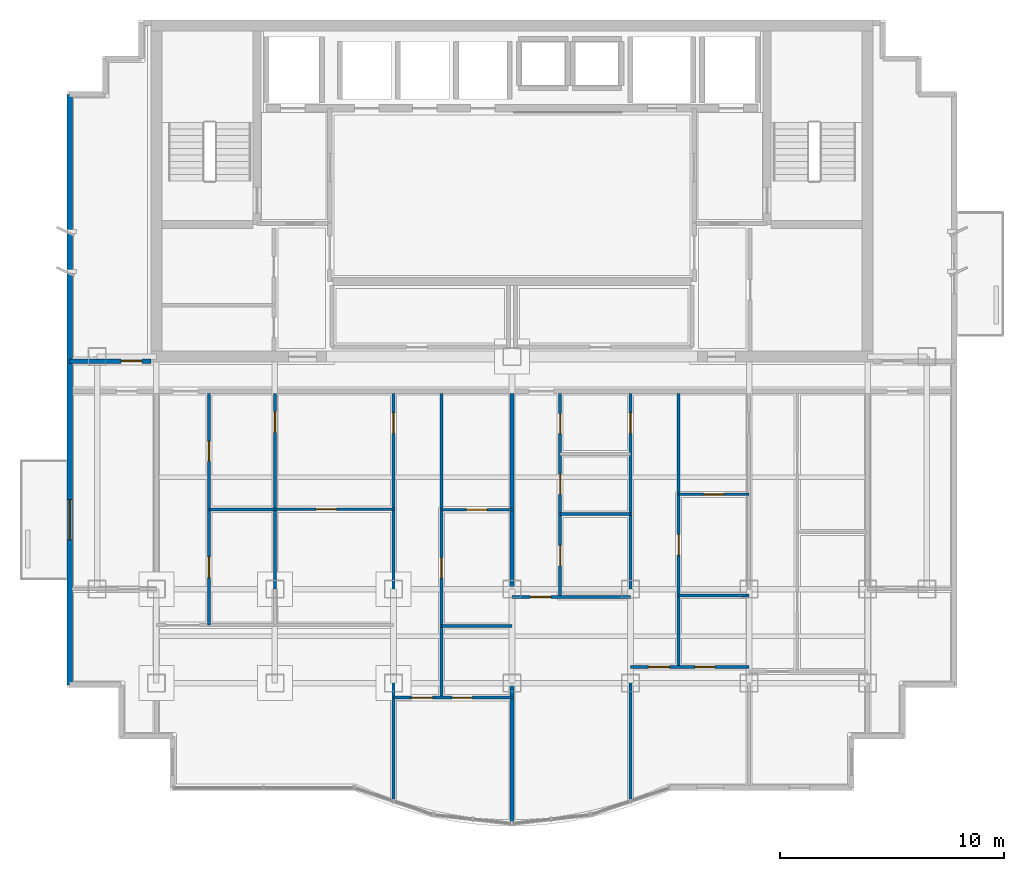
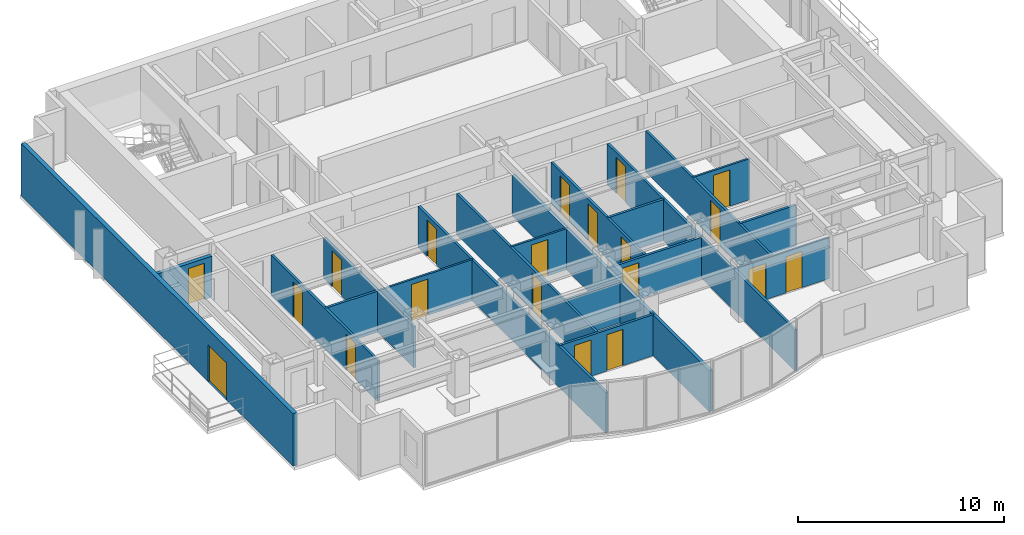
# One storey, part 4 of 9: 20 doors, 20 walls, 20 openings.
"""IFC4 building model written with IfcOpenShell, lengths in metres."""

from ifc_helpers import new_model, si_unit, direction, frame, frame_2d, origin, place, context, subcontext, project, spatial, rectangle, extrude, material, layer, layer_set, type_object, element, fill, save


model = new_model("IFC4")

# Units and contexts
model_context = context("Model", 3, precision=1e-05, world=origin(), true_north=direction((0.0, 1.0)))
body_context = subcontext(model_context, "Body", "Model", "MODEL_VIEW")
ifc_project = project(units=[si_unit("LENGTHUNIT", "METRE"), si_unit("AREAUNIT", "SQUARE_METRE"), si_unit("VOLUMEUNIT", "CUBIC_METRE"), si_unit("PLANEANGLEUNIT", "RADIAN"), si_unit("MASSUNIT", "GRAM", prefix="KILO")], contexts=[model_context])

# Site, building, storey
site_placement = place(None, origin())
site = spatial("IfcSite", under=ifc_project, at=site_placement, CompositionType="ELEMENT")
building_placement = place(site_placement, origin())
building = spatial("IfcBuilding", under=site, at=building_placement, Name="Qianlan Lanfeng Residences", CompositionType="ELEMENT")
storey_placement = place(building_placement, frame((0.0, 0.0, 213.199951171875)))
storey = spatial("IfcBuildingStorey", under=building, at=storey_placement, Name="L58", CompositionType="ELEMENT", Elevation=213.199951171875)

# Wall, opening, door
ifc_material_1 = material(Name="Concrete C42", Category="concrete")
ifc_layer_1 = layer(ifc_material_1, 0.239990234375)
ifc_layer_set_1 = layer_set([ifc_layer_1], Name="Concrete C42")
wall_type_1 = type_object("IfcWallType", Name="EW-240", PredefinedType="SOLIDWALL", material=ifc_layer_set_1)
wall_1_placement = place(storey_placement, frame((6.719970703125, 36.929931640625, 0.0), z_axis=(0.0, 0.0, 1.0), x_axis=(0.0, -1.0, 0.0)))
wall_1 = element("IfcWall", 1, at=wall_1_placement, inside=storey, type_object=wall_type_1, Name="L58 Terrace/Balcony Access Exterior Wall 21", PredefinedType="SOLIDWALL", context=body_context, shape_type="SweptSolid", body=[
    extrude(rectangle(XDim=26.409912109375, YDim=0.239990234375, at=frame_2d((13.205078125, 0.0))), origin(), (0.0, 0.0, 1.0), 3.110107421875),
])
opening_1_placement = place(wall_1_placement, frame((18.1298828125, 0.0, 0.0)))
opening_1 = element("IfcOpeningElement", 2, at=opening_1_placement, cuts=wall_1, Name="Opening L58-D-WB-S", PredefinedType="OPENING", context=body_context, shape_type="SweptSolid", body=[
    extrude(rectangle(XDim=1.800048828125, YDim=2.199951171875, at=frame_2d((0.89990234375, 1.10009765625))), frame((0.0, 0.1298828125, 0.0), z_axis=(0.0, -1.0, 0.0), x_axis=(1.0, 0.0, 0.0)), (0.0, 0.0, 1.0), 0.260009765625),
])
ifc_material_2 = material(Name="Anodised Bronze Aluminium Framed Glass", Category="aluminium")
door_type_1 = type_object("IfcDoorType", Name="DT-BAL1", OperationType="NOTDEFINED", PredefinedType="DOOR", material=ifc_material_2)
door_1_placement = place(opening_1_placement, frame((1.800048828125, 0.0, 0.0), z_axis=(0.0, 0.0, 1.0), x_axis=(-1.0, 0.0, 0.0)))
door_1 = element("IfcDoor", 3, at=door_1_placement, inside=storey, type_object=door_type_1, Name="L58 Exterior Access Door WB-S", OperationType="DOUBLE_DOOR_SLIDING", OverallHeight=2.199951171875, OverallWidth=1.800048828125, PredefinedType="DOOR", context=body_context, shape_type="SweptSolid", body=[
    extrude(rectangle(XDim=1.800048828125, YDim=2.199951171875, at=frame_2d((0.89990234375, 1.10009765625))), frame((0.0, 0.02490234375, 0.0), z_axis=(0.0, -1.0, 0.0), x_axis=(1.0, 0.0, 0.0)), (0.0, 0.0, 1.0), 0.050048828125),
])
fill(opening_1, door_1)

ifc_material_3 = material(Name="Demountable Acoustic Framing Partition 110 mm")
ifc_layer_2 = layer(ifc_material_3, 0.110107421875)
ifc_layer_set_2 = layer_set([ifc_layer_2], Name="Demountable Acoustic Framing Partition 110 mm")
wall_type_2 = type_object("IfcWallType", Name="PW-110", PredefinedType="MOVABLE", material=ifc_layer_set_2)
wall_2_placement = place(storey_placement, frame((15.89990234375, 18.3701171875, 0.0), z_axis=(0.0, 0.0, 1.0), x_axis=(1.0, 0.0, 0.0)))
wall_2 = element("IfcWall", 4, at=wall_2_placement, inside=storey, type_object=wall_type_2, Name="L58 U01 Study Split", PredefinedType="MOVABLE", context=body_context, shape_type="SweptSolid", body=[
    extrude(rectangle(XDim=5.300048828125, YDim=0.110107421875, at=frame_2d((2.64990234375, 0.0))), origin(), (0.0, 0.0, 1.0), 2.429931640625),
])
opening_2_placement = place(wall_2_placement, frame((1.840087890625, 0.0, 0.0)))
opening_2 = element("IfcOpeningElement", 5, at=opening_2_placement, cuts=wall_2, Name="Opening L58-D22", PredefinedType="OPENING", context=body_context, shape_type="SweptSolid", body=[
    extrude(rectangle(XDim=0.919921875, YDim=2.14990234375, at=frame_2d((0.4599609375, 1.074951171875))), frame((0.0, 0.06494140625, 0.0), z_axis=(0.0, -1.0, 0.0), x_axis=(1.0, 0.0, 0.0)), (0.0, 0.0, 1.0), 0.130126953125),
])
ifc_material_4 = material(Name="Glazed Timber Kitchen/Study Door", Category="wood")
door_type_2 = type_object("IfcDoorType", Name="DT-INT", OperationType="NOTDEFINED", PredefinedType="DOOR", material=ifc_material_4)
door_2_placement = place(opening_2_placement, origin())
door_2 = element("IfcDoor", 6, at=door_2_placement, inside=storey, type_object=door_type_2, Name="L58 U01 Study Inner Door L58-D22 (DT-INT)", OperationType="SINGLE_SWING_RIGHT", OverallHeight=2.14990234375, OverallWidth=0.919921875, PredefinedType="DOOR", context=body_context, shape_type="SweptSolid", body=[
    extrude(rectangle(XDim=0.919921875, YDim=2.14990234375, at=frame_2d((0.4599609375, 1.074951171875))), frame((0.0, 0.02490234375, 0.0), z_axis=(0.0, -1.0, 0.0), x_axis=(1.0, 0.0, 0.0)), (0.0, 0.0, 1.0), 0.050048828125),
])
fill(opening_2, door_2)

wall_3_placement = place(storey_placement, frame((23.35009765625, 18.34912109375, 0.0), z_axis=(0.0, 0.0, 1.0), x_axis=(1.0, 0.0, 0.0)))
wall_3 = element("IfcWall", 7, at=wall_3_placement, inside=storey, type_object=wall_type_2, Name="L58 U01 Wardrobe Split", PredefinedType="MOVABLE", context=body_context, shape_type="SweptSolid", body=[
    extrude(rectangle(XDim=3.14990234375, YDim=0.110107421875, at=frame_2d((1.574951171875, 0.0))), origin(), (0.0, 0.0, 1.0), 2.429931640625),
])
opening_3_placement = place(wall_3_placement, frame((1.114990234375, 0.0, 0.0)))
opening_3 = element("IfcOpeningElement", 8, at=opening_3_placement, cuts=wall_3, Name="Opening L58-D26", PredefinedType="OPENING", context=body_context, shape_type="SweptSolid", body=[
    extrude(rectangle(XDim=0.919921875, YDim=2.14990234375, at=frame_2d((0.4599609375, 1.074951171875))), frame((0.0, 0.06494140625, 0.0), z_axis=(0.0, -1.0, 0.0), x_axis=(1.0, 0.0, 0.0)), (0.0, 0.0, 1.0), 0.130126953125),
])
door_3_placement = place(opening_3_placement, origin())
door_3 = element("IfcDoor", 9, at=door_3_placement, inside=storey, type_object=door_type_2, Name="L58 U01 Dressing Inner Door L58-D26 (DT-INT)", OperationType="SINGLE_SWING_RIGHT", OverallHeight=2.14990234375, OverallWidth=0.919921875, PredefinedType="DOOR", context=body_context, shape_type="SweptSolid", body=[
    extrude(rectangle(XDim=0.919921875, YDim=2.14990234375, at=frame_2d((0.4599609375, 1.074951171875))), frame((0.0, 0.02490234375, 0.0), z_axis=(0.0, -1.0, 0.0), x_axis=(1.0, 0.0, 0.0)), (0.0, 0.0, 1.0), 0.050048828125),
])
fill(opening_3, door_3)

wall_4_placement = place(storey_placement, frame((33.949951171875, 19.034912109375, 0.0), z_axis=(0.0, 0.0, 1.0), x_axis=(1.0, 0.0, 0.0)))
wall_4 = element("IfcWall", 10, at=wall_4_placement, inside=storey, type_object=wall_type_2, Name="L58 U02 Wardrobe Split", PredefinedType="MOVABLE", context=body_context, shape_type="SweptSolid", body=[
    extrude(rectangle(XDim=3.150146484375, YDim=0.110107421875, at=frame_2d((1.5751953125, 0.0))), origin(), (0.0, 0.0, 1.0), 2.429931640625),
])
opening_4_placement = place(wall_4_placement, frame((1.114990234375, 0.0, 0.0)))
opening_4 = element("IfcOpeningElement", 11, at=opening_4_placement, cuts=wall_4, Name="Opening L58-D37", PredefinedType="OPENING", context=body_context, shape_type="SweptSolid", body=[
    extrude(rectangle(XDim=0.919921875, YDim=2.14990234375, at=frame_2d((0.4599609375, 1.074951171875))), frame((0.0, 0.06494140625, 0.0), z_axis=(0.0, -1.0, 0.0), x_axis=(1.0, 0.0, 0.0)), (0.0, 0.0, 1.0), 0.130126953125),
])
door_4_placement = place(opening_4_placement, origin())
door_4 = element("IfcDoor", 12, at=door_4_placement, inside=storey, type_object=door_type_2, Name="L58 U02 Dressing Inner Door L58-D37 (DT-INT)", OperationType="SINGLE_SWING_LEFT", OverallHeight=2.14990234375, OverallWidth=0.919921875, PredefinedType="DOOR", context=body_context, shape_type="SweptSolid", body=[
    extrude(rectangle(XDim=0.919921875, YDim=2.14990234375, at=frame_2d((0.4599609375, 1.074951171875))), frame((0.0, 0.02490234375, 0.0), z_axis=(0.0, -1.0, 0.0), x_axis=(1.0, 0.0, 0.0)), (0.0, 0.0, 1.0), 0.050048828125),
])
fill(opening_4, door_4)

ifc_material_5 = material(Name="Moisture-Resistant Gypsum Partition 135 mm")
ifc_layer_3 = layer(ifc_material_5, 0.135009765625)
ifc_layer_set_3 = layer_set([ifc_layer_3], Name="Moisture-Resistant Gypsum Partition 135 mm")
wall_type_3 = type_object("IfcWallType", Name="PW-135", PredefinedType="PARTITIONING", material=ifc_layer_set_3)
wall_5_placement = place(storey_placement, frame((15.89990234375, 14.800048828125, 0.0), z_axis=(0.0, 0.0, 1.0), x_axis=(0.0, 1.0, 0.0)))
wall_5 = element("IfcWall", 13, at=wall_5_placement, inside=storey, type_object=wall_type_3, Name="L58 U01 North Spine Wall", PredefinedType="PARTITIONING", context=body_context, shape_type="SweptSolid", body=[
    extrude(rectangle(XDim=8.75, YDim=0.135009765625, at=frame_2d((4.375, 0.0))), origin(), (0.0, 0.0, 1.0), 2.429931640625),
])
opening_5_placement = place(wall_5_placement, frame((7.014892578125, 0.0, 0.0)))
opening_5 = element("IfcOpeningElement", 14, at=opening_5_placement, cuts=wall_5, Name="Opening L58-D17", PredefinedType="OPENING", context=body_context, shape_type="SweptSolid", body=[
    extrude(rectangle(XDim=0.919921875, YDim=2.14990234375, at=frame_2d((0.4599609375, 1.074951171875))), frame((0.0, 0.07763671875, 0.0), z_axis=(0.0, -1.0, 0.0), x_axis=(1.0, 0.0, 0.0)), (0.0, 0.0, 1.0), 0.155029296875),
])
door_5_placement = place(opening_5_placement, origin())
door_5 = element("IfcDoor", 15, at=door_5_placement, inside=storey, type_object=door_type_2, Name="L58 U01 North Suite Door L58-D17 (DT-INT)", OperationType="SINGLE_SWING_LEFT", OverallHeight=2.14990234375, OverallWidth=0.919921875, PredefinedType="DOOR", context=body_context, shape_type="SweptSolid", body=[
    extrude(rectangle(XDim=0.919921875, YDim=2.14990234375, at=frame_2d((0.4599609375, 1.074951171875))), frame((0.0, 0.02490234375, 0.0), z_axis=(0.0, -1.0, 0.0), x_axis=(1.0, 0.0, 0.0)), (0.0, 0.0, 1.0), 0.050048828125),
])
fill(opening_5, door_5)

wall_6_placement = place(storey_placement, frame((21.199951171875, 5.3310546875, 0.0), z_axis=(0.0, 0.0, 1.0), x_axis=(0.0, 1.0, 0.0)))
wall_6 = element("IfcWall", 16, at=wall_6_placement, inside=storey, type_object=wall_type_3, Name="L58 U01 Bay Spine Wall 2", PredefinedType="PARTITIONING", context=body_context, shape_type="SweptSolid", body=[
    extrude(rectangle(XDim=18.218994140625, YDim=0.135009765625, at=frame_2d((9.109375, 0.0))), origin(), (0.0, 0.0, 1.0), 2.429931640625),
])
opening_6_placement = place(wall_6_placement, frame((16.43408203125, 0.0, 0.0)))
opening_6 = element("IfcOpeningElement", 17, at=opening_6_placement, cuts=wall_6, Name="Opening L58-D18", PredefinedType="OPENING", context=body_context, shape_type="SweptSolid", body=[
    extrude(rectangle(XDim=0.919921875, YDim=2.14990234375, at=frame_2d((0.4599609375, 1.074951171875))), frame((0.0, 0.07763671875, 0.0), z_axis=(0.0, -1.0, 0.0), x_axis=(1.0, 0.0, 0.0)), (0.0, 0.0, 1.0), 0.155029296875),
])
door_6_placement = place(opening_6_placement, origin())
door_6 = element("IfcDoor", 18, at=door_6_placement, inside=storey, type_object=door_type_2, Name="L58 U01 Internal Hall Door L58-D18 (DT-INT)", OperationType="SINGLE_SWING_RIGHT", OverallHeight=2.14990234375, OverallWidth=0.919921875, PredefinedType="DOOR", context=body_context, shape_type="SweptSolid", body=[
    extrude(rectangle(XDim=0.919921875, YDim=2.14990234375, at=frame_2d((0.4599609375, 1.074951171875))), frame((0.0, 0.02490234375, 0.0), z_axis=(0.0, -1.0, 0.0), x_axis=(1.0, 0.0, 0.0)), (0.0, 0.0, 1.0), 0.050048828125),
])
fill(opening_6, door_6)

# Wall, openings, doors
wall_7_placement = place(storey_placement, frame((12.949951171875, 13.18994140625, 0.0), z_axis=(0.0, 0.0, 1.0), x_axis=(0.0, 1.0, 0.0)))
wall_7 = element("IfcWall", 19, at=wall_7_placement, inside=storey, type_object=wall_type_3, Name="L58 U01 Kitchen/Bath Wall", PredefinedType="PARTITIONING", context=body_context, shape_type="SweptSolid", body=[
    extrude(rectangle(XDim=10.360107421875, YDim=0.135009765625, at=frame_2d((5.18017578125, 0.0))), origin(), (0.0, 0.0, 1.0), 2.429931640625),
])
opening_7_placement = place(wall_7_placement, frame((2.1298828125, 0.0, 0.0)))
opening_7 = element("IfcOpeningElement", 20, at=opening_7_placement, cuts=wall_7, Name="Opening L58-D20", PredefinedType="OPENING", context=body_context, shape_type="SweptSolid", body=[
    extrude(rectangle(XDim=0.919921875, YDim=2.14990234375, at=frame_2d((0.4599609375, 1.074951171875))), frame((0.0, 0.07763671875, 0.0), z_axis=(0.0, -1.0, 0.0), x_axis=(1.0, 0.0, 0.0)), (0.0, 0.0, 1.0), 0.155029296875),
])
opening_8_placement = place(wall_7_placement, frame((7.320068359375, 0.0, 0.0)))
opening_8 = element("IfcOpeningElement", 21, at=opening_8_placement, cuts=wall_7, Name="Opening L58-D21", PredefinedType="OPENING", context=body_context, shape_type="SweptSolid", body=[
    extrude(rectangle(XDim=0.89990234375, YDim=2.14990234375, at=frame_2d((0.449951171875, 1.074951171875))), frame((0.0, 0.07763671875, 0.0), z_axis=(0.0, -1.0, 0.0), x_axis=(1.0, 0.0, 0.0)), (0.0, 0.0, 1.0), 0.155029296875),
])
door_7_placement = place(opening_7_placement, origin())
door_7 = element("IfcDoor", 22, at=door_7_placement, inside=storey, type_object=door_type_2, Name="L58 U01 Kitchen Door L58-D20 (DT-INT)", OperationType="SINGLE_SWING_RIGHT", OverallHeight=2.14990234375, OverallWidth=0.919921875, PredefinedType="DOOR", context=body_context, shape_type="SweptSolid", body=[
    extrude(rectangle(XDim=0.919921875, YDim=2.14990234375, at=frame_2d((0.4599609375, 1.074951171875))), frame((0.0, 0.02490234375, 0.0), z_axis=(0.0, -1.0, 0.0), x_axis=(1.0, 0.0, 0.0)), (0.0, 0.0, 1.0), 0.050048828125),
])
fill(opening_7, door_7)
ifc_material_6 = material(Name="Moisture-Resistant Timber Leaf", Category="wood")
door_type_3 = type_object("IfcDoorType", Name="DT-WC", OperationType="NOTDEFINED", PredefinedType="DOOR", material=ifc_material_6)
door_8_placement = place(opening_8_placement, origin())
door_8 = element("IfcDoor", 23, at=door_8_placement, inside=storey, type_object=door_type_3, Name="L58 U01 Bathroom Door L58-D21 (DT-WC)", OperationType="SINGLE_SWING_LEFT", OverallHeight=2.14990234375, OverallWidth=0.89990234375, PredefinedType="DOOR", context=body_context, shape_type="SweptSolid", body=[
    extrude(rectangle(XDim=0.89990234375, YDim=2.14990234375, at=frame_2d((0.449951171875, 1.074951171875))), frame((0.0, 0.02490234375, 0.0), z_axis=(0.0, -1.0, 0.0), x_axis=(1.0, 0.0, 0.0)), (0.0, 0.0, 1.0), 0.050048828125),
])
fill(opening_8, door_8)

# Wall
wall_8_placement = place(storey_placement, frame((12.949951171875, 18.3701171875, 0.0), z_axis=(0.0, 0.0, 1.0), x_axis=(1.0, 0.0, 0.0)))
element("IfcWall", 24, at=wall_8_placement, inside=storey, type_object=wall_type_3, Name="L58 U01 Bath Split Wall", PredefinedType="PARTITIONING", context=body_context, shape_type="SweptSolid", body=[
    extrude(rectangle(XDim=2.949951171875, YDim=0.135009765625, at=frame_2d((1.47509765625, 0.0))), origin(), (0.0, 0.0, 1.0), 2.429931640625),
])

# Wall, openings, doors
wall_9_placement = place(storey_placement, frame((21.199951171875, 9.947998046875, 0.0), z_axis=(0.0, 0.0, 1.0), x_axis=(1.0, 0.0, 0.0)))
wall_9 = element("IfcWall", 25, at=wall_9_placement, inside=storey, type_object=wall_type_3, Name="L58 U01 Master Bedroom North Wall", PredefinedType="PARTITIONING", context=body_context, shape_type="SweptSolid", body=[
    extrude(rectangle(XDim=5.300048828125, YDim=0.135009765625, at=frame_2d((2.64990234375, 0.0))), origin(), (0.0, 0.0, 1.0), 2.429931640625),
])
opening_9_placement = place(wall_9_placement, frame((0.800048828125, 0.0, 0.0)))
opening_9 = element("IfcOpeningElement", 26, at=opening_9_placement, cuts=wall_9, Name="Opening L58-D23", PredefinedType="OPENING", context=body_context, shape_type="SweptSolid", body=[
    extrude(rectangle(XDim=0.949951171875, YDim=2.14990234375, at=frame_2d((0.47509765625, 1.074951171875))), frame((0.0, 0.07763671875, 0.0), z_axis=(0.0, -1.0, 0.0), x_axis=(1.0, 0.0, 0.0)), (0.0, 0.0, 1.0), 0.155029296875),
])
opening_10_placement = place(wall_9_placement, frame((2.625, 0.0, 0.0)))
opening_10 = element("IfcOpeningElement", 27, at=opening_10_placement, cuts=wall_9, Name="Opening L58-D24", PredefinedType="OPENING", context=body_context, shape_type="SweptSolid", body=[
    extrude(rectangle(XDim=0.89990234375, YDim=2.14990234375, at=frame_2d((0.449951171875, 1.074951171875))), frame((0.0, 0.07763671875, 0.0), z_axis=(0.0, -1.0, 0.0), x_axis=(1.0, 0.0, 0.0)), (0.0, 0.0, 1.0), 0.155029296875),
])
ifc_material_7 = material(Name="Painted Solid-Core Timber Leaf", Category="wood")
door_type_4 = type_object("IfcDoorType", Name="DT-BED", OperationType="NOTDEFINED", PredefinedType="DOOR", material=ifc_material_7)
door_9_placement = place(opening_9_placement, frame((0.949951171875, 0.0, 0.0), z_axis=(0.0, 0.0, 1.0), x_axis=(-1.0, 0.0, 0.0)))
door_9 = element("IfcDoor", 28, at=door_9_placement, inside=storey, type_object=door_type_4, Name="L58 U01 Master Bedroom Door L58-D23 (DT-BED)", OperationType="SINGLE_SWING_LEFT", OverallHeight=2.14990234375, OverallWidth=0.949951171875, PredefinedType="DOOR", context=body_context, shape_type="SweptSolid", body=[
    extrude(rectangle(XDim=0.949951171875, YDim=2.14990234375, at=frame_2d((0.47509765625, 1.074951171875))), frame((0.0, 0.02490234375, 0.0), z_axis=(0.0, -1.0, 0.0), x_axis=(1.0, 0.0, 0.0)), (0.0, 0.0, 1.0), 0.050048828125),
])
fill(opening_9, door_9)
door_10_placement = place(opening_10_placement, origin())
door_10 = element("IfcDoor", 29, at=door_10_placement, inside=storey, type_object=door_type_3, Name="L58 U01 En-Suite Bathroom Door L58-D24 (DT-WC)", OperationType="SINGLE_SWING_RIGHT", OverallHeight=2.14990234375, OverallWidth=0.89990234375, PredefinedType="DOOR", context=body_context, shape_type="SweptSolid", body=[
    extrude(rectangle(XDim=0.89990234375, YDim=2.14990234375, at=frame_2d((0.449951171875, 1.074951171875))), frame((0.0, 0.02490234375, 0.0), z_axis=(0.0, -1.0, 0.0), x_axis=(1.0, 0.0, 0.0)), (0.0, 0.0, 1.0), 0.050048828125),
])
fill(opening_10, door_10)

# Wall, opening, door
wall_10_placement = place(storey_placement, frame((23.35009765625, 9.947998046875, 0.0), z_axis=(0.0, 0.0, 1.0), x_axis=(0.0, 1.0, 0.0)))
wall_10 = element("IfcWall", 30, at=wall_10_placement, inside=storey, type_object=wall_type_3, Name="L58 U01 Master Passage Wall", PredefinedType="PARTITIONING", context=body_context, shape_type="SweptSolid", body=[
    extrude(rectangle(XDim=13.60205078125, YDim=0.135009765625, at=frame_2d((6.801025390625, 0.0))), origin(), (0.0, 0.0, 1.0), 2.429931640625),
])
opening_11_placement = place(wall_10_placement, frame((5.340087890625, 0.0, 0.0)))
opening_11 = element("IfcOpeningElement", 31, at=opening_11_placement, cuts=wall_10, Name="Opening L58-D25", PredefinedType="OPENING", context=body_context, shape_type="SweptSolid", body=[
    extrude(rectangle(XDim=0.919921875, YDim=2.14990234375, at=frame_2d((0.4599609375, 1.074951171875))), frame((0.0, 0.07763671875, 0.0), z_axis=(0.0, -1.0, 0.0), x_axis=(1.0, 0.0, 0.0)), (0.0, 0.0, 1.0), 0.155029296875),
])
door_11_placement = place(opening_11_placement, origin())
door_11 = element("IfcDoor", 32, at=door_11_placement, inside=storey, type_object=door_type_2, Name="L58 U01 Wardrobe Door L58-D25 (DT-INT)", OperationType="SINGLE_SWING_LEFT", OverallHeight=2.14990234375, OverallWidth=0.919921875, PredefinedType="DOOR", context=body_context, shape_type="SweptSolid", body=[
    extrude(rectangle(XDim=0.919921875, YDim=2.14990234375, at=frame_2d((0.4599609375, 1.074951171875))), frame((0.0, 0.02490234375, 0.0), z_axis=(0.0, -1.0, 0.0), x_axis=(1.0, 0.0, 0.0)), (0.0, 0.0, 1.0), 0.050048828125),
])
fill(opening_11, door_11)

# Wall
wall_11_placement = place(storey_placement, frame((23.35009765625, 13.14794921875, 0.0), z_axis=(0.0, 0.0, 1.0), x_axis=(1.0, 0.0, 0.0)))
element("IfcWall", 33, at=wall_11_placement, inside=storey, type_object=wall_type_3, Name="L58 U01 En-Suite North Wall", PredefinedType="PARTITIONING", context=body_context, shape_type="SweptSolid", body=[
    extrude(rectangle(XDim=3.14990234375, YDim=0.135009765625, at=frame_2d((1.574951171875, 0.0))), origin(), (0.0, 0.0, 1.0), 2.429931640625),
])

# Wall, opening, door
wall_12_placement = place(storey_placement, frame((31.800048828125, 5.3310546875, 0.0), z_axis=(0.0, 0.0, 1.0), x_axis=(0.0, 1.0, 0.0)))
wall_12 = element("IfcWall", 34, at=wall_12_placement, inside=storey, type_object=wall_type_3, Name="L58 U02 Bay Spine Wall 1", PredefinedType="PARTITIONING", context=body_context, shape_type="SweptSolid", body=[
    extrude(rectangle(XDim=18.218994140625, YDim=0.135009765625, at=frame_2d((9.109375, 0.0))), origin(), (0.0, 0.0, 1.0), 2.429931640625),
])
opening_12_placement = place(wall_12_placement, frame((16.43408203125, 0.0, 0.0)))
opening_12 = element("IfcOpeningElement", 35, at=opening_12_placement, cuts=wall_12, Name="Opening L58-D28", PredefinedType="OPENING", context=body_context, shape_type="SweptSolid", body=[
    extrude(rectangle(XDim=0.919921875, YDim=2.14990234375, at=frame_2d((0.4599609375, 1.074951171875))), frame((0.0, 0.07763671875, 0.0), z_axis=(0.0, -1.0, 0.0), x_axis=(1.0, 0.0, 0.0)), (0.0, 0.0, 1.0), 0.155029296875),
])
door_12_placement = place(opening_12_placement, origin())
door_12 = element("IfcDoor", 36, at=door_12_placement, inside=storey, type_object=door_type_2, Name="L58 U02 Internal Hall Door L58-D28 (DT-INT)", OperationType="SINGLE_SWING_RIGHT", OverallHeight=2.14990234375, OverallWidth=0.919921875, PredefinedType="DOOR", context=body_context, shape_type="SweptSolid", body=[
    extrude(rectangle(XDim=0.919921875, YDim=2.14990234375, at=frame_2d((0.4599609375, 1.074951171875))), frame((0.0, 0.02490234375, 0.0), z_axis=(0.0, -1.0, 0.0), x_axis=(1.0, 0.0, 0.0)), (0.0, 0.0, 1.0), 0.050048828125),
])
fill(opening_12, door_12)

wall_13_placement = place(storey_placement, frame((26.5, 14.447998046875, 0.0), z_axis=(0.0, 0.0, 1.0), x_axis=(1.0, 0.0, 0.0)))
wall_13 = element("IfcWall", 37, at=wall_13_placement, inside=storey, type_object=wall_type_3, Name="L58 U02 Living Divider", PredefinedType="PARTITIONING", context=body_context, shape_type="SweptSolid", body=[
    extrude(rectangle(XDim=5.300048828125, YDim=0.135009765625, at=frame_2d((2.64990234375, 0.0))), origin(), (0.0, 0.0, 1.0), 2.429931640625),
])
opening_13_placement = place(wall_13_placement, frame((0.81494140625, 0.0, 0.0)))
opening_13 = element("IfcOpeningElement", 38, at=opening_13_placement, cuts=wall_13, Name="Opening L58-D30", PredefinedType="OPENING", context=body_context, shape_type="SweptSolid", body=[
    extrude(rectangle(XDim=0.919921875, YDim=2.14990234375, at=frame_2d((0.4599609375, 1.074951171875))), frame((0.0, 0.07763671875, 0.0), z_axis=(0.0, -1.0, 0.0), x_axis=(1.0, 0.0, 0.0)), (0.0, 0.0, 1.0), 0.155029296875),
])
door_13_placement = place(opening_13_placement, frame((0.919921875, 0.0, 0.0), z_axis=(0.0, 0.0, 1.0), x_axis=(-1.0, 0.0, 0.0)))
door_13 = element("IfcDoor", 39, at=door_13_placement, inside=storey, type_object=door_type_2, Name="L58 U02 Living Passage Door L58-D30 (DT-INT)", OperationType="SINGLE_SWING_LEFT", OverallHeight=2.14990234375, OverallWidth=0.919921875, PredefinedType="DOOR", context=body_context, shape_type="SweptSolid", body=[
    extrude(rectangle(XDim=0.919921875, YDim=2.14990234375, at=frame_2d((0.4599609375, 1.074951171875))), frame((0.0, 0.02490234375, 0.0), z_axis=(0.0, -1.0, 0.0), x_axis=(1.0, 0.0, 0.0)), (0.0, 0.0, 1.0), 0.050048828125),
])
fill(opening_13, door_13)

# Wall, openings, doors
wall_14_placement = place(storey_placement, frame((28.64990234375, 14.447998046875, 0.0), z_axis=(0.0, 0.0, 1.0), x_axis=(0.0, 1.0, 0.0)))
wall_14 = element("IfcWall", 40, at=wall_14_placement, inside=storey, type_object=wall_type_3, Name="L58 U02 Entry Hall Spine", PredefinedType="PARTITIONING", context=body_context, shape_type="SweptSolid", body=[
    extrude(rectangle(XDim=9.10205078125, YDim=0.135009765625, at=frame_2d((4.551025390625, 0.0))), origin(), (0.0, 0.0, 1.0), 2.429931640625),
])
opening_14_placement = place(wall_14_placement, frame((1.39111328125, 0.0, 0.0)))
opening_14 = element("IfcOpeningElement", 41, at=opening_14_placement, cuts=wall_14, Name="Opening L58-D31", PredefinedType="OPENING", context=body_context, shape_type="SweptSolid", body=[
    extrude(rectangle(XDim=0.919921875, YDim=2.14990234375, at=frame_2d((0.4599609375, 1.074951171875))), frame((0.0, 0.07763671875, 0.0), z_axis=(0.0, -1.0, 0.0), x_axis=(1.0, 0.0, 0.0)), (0.0, 0.0, 1.0), 0.155029296875),
])
opening_15_placement = place(wall_14_placement, frame((4.592041015625, 0.0, 0.0)))
opening_15 = element("IfcOpeningElement", 42, at=opening_15_placement, cuts=wall_14, Name="Opening L58-D32", PredefinedType="OPENING", context=body_context, shape_type="SweptSolid", body=[
    extrude(rectangle(XDim=0.919921875, YDim=2.14990234375, at=frame_2d((0.4599609375, 1.074951171875))), frame((0.0, 0.07763671875, 0.0), z_axis=(0.0, -1.0, 0.0), x_axis=(1.0, 0.0, 0.0)), (0.0, 0.0, 1.0), 0.155029296875),
])
opening_16_placement = place(wall_14_placement, frame((7.302001953125, 0.0, 0.0)))
opening_16 = element("IfcOpeningElement", 43, at=opening_16_placement, cuts=wall_14, Name="Opening L58-D33", PredefinedType="OPENING", context=body_context, shape_type="SweptSolid", body=[
    extrude(rectangle(XDim=0.89990234375, YDim=2.14990234375, at=frame_2d((0.449951171875, 1.074951171875))), frame((0.0, 0.07763671875, 0.0), z_axis=(0.0, -1.0, 0.0), x_axis=(1.0, 0.0, 0.0)), (0.0, 0.0, 1.0), 0.155029296875),
])
door_14_placement = place(opening_14_placement, origin())
door_14 = element("IfcDoor", 44, at=door_14_placement, inside=storey, type_object=door_type_2, Name="L58 U02 Study Door L58-D31 (DT-INT)", OperationType="SINGLE_SWING_LEFT", OverallHeight=2.14990234375, OverallWidth=0.919921875, PredefinedType="DOOR", context=body_context, shape_type="SweptSolid", body=[
    extrude(rectangle(XDim=0.919921875, YDim=2.14990234375, at=frame_2d((0.4599609375, 1.074951171875))), frame((0.0, 0.02490234375, 0.0), z_axis=(0.0, -1.0, 0.0), x_axis=(1.0, 0.0, 0.0)), (0.0, 0.0, 1.0), 0.050048828125),
])
fill(opening_14, door_14)
door_15_placement = place(opening_15_placement, origin())
door_15 = element("IfcDoor", 45, at=door_15_placement, inside=storey, type_object=door_type_2, Name="L58 U02 Kitchen Door L58-D32 (DT-INT)", OperationType="SINGLE_SWING_RIGHT", OverallHeight=2.14990234375, OverallWidth=0.919921875, PredefinedType="DOOR", context=body_context, shape_type="SweptSolid", body=[
    extrude(rectangle(XDim=0.919921875, YDim=2.14990234375, at=frame_2d((0.4599609375, 1.074951171875))), frame((0.0, 0.02490234375, 0.0), z_axis=(0.0, -1.0, 0.0), x_axis=(1.0, 0.0, 0.0)), (0.0, 0.0, 1.0), 0.050048828125),
])
fill(opening_15, door_15)
door_16_placement = place(opening_16_placement, origin())
door_16 = element("IfcDoor", 46, at=door_16_placement, inside=storey, type_object=door_type_3, Name="L58 U02 Bathroom Door L58-D33 (DT-WC)", OperationType="SINGLE_SWING_LEFT", OverallHeight=2.14990234375, OverallWidth=0.89990234375, PredefinedType="DOOR", context=body_context, shape_type="SweptSolid", body=[
    extrude(rectangle(XDim=0.89990234375, YDim=2.14990234375, at=frame_2d((0.449951171875, 1.074951171875))), frame((0.0, 0.02490234375, 0.0), z_axis=(0.0, -1.0, 0.0), x_axis=(1.0, 0.0, 0.0)), (0.0, 0.0, 1.0), 0.050048828125),
])
fill(opening_16, door_16)

# Wall
wall_15_placement = place(storey_placement, frame((28.64990234375, 18.14990234375, 0.0), z_axis=(0.0, 0.0, 1.0), x_axis=(1.0, 0.0, 0.0)))
element("IfcWall", 47, at=wall_15_placement, inside=storey, type_object=wall_type_3, Name="L58 U02 Kitchen South Wall", PredefinedType="PARTITIONING", context=body_context, shape_type="SweptSolid", body=[
    extrude(rectangle(XDim=3.150146484375, YDim=0.135009765625, at=frame_2d((1.5751953125, 0.0))), origin(), (0.0, 0.0, 1.0), 2.429931640625),
])

# Wall, openings, doors
wall_16_placement = place(storey_placement, frame((31.800048828125, 11.320068359375, 0.0), z_axis=(0.0, 0.0, 1.0), x_axis=(1.0, 0.0, 0.0)))
wall_16 = element("IfcWall", 48, at=wall_16_placement, inside=storey, type_object=wall_type_3, Name="L58 U02 Master Bedroom North Wall", PredefinedType="PARTITIONING", context=body_context, shape_type="SweptSolid", body=[
    extrude(rectangle(XDim=5.300048828125, YDim=0.135009765625, at=frame_2d((2.64990234375, 0.0))), origin(), (0.0, 0.0, 1.0), 2.429931640625),
])
opening_17_placement = place(wall_16_placement, frame((0.800048828125, 0.0, 0.0)))
opening_17 = element("IfcOpeningElement", 49, at=opening_17_placement, cuts=wall_16, Name="Opening L58-D34", PredefinedType="OPENING", context=body_context, shape_type="SweptSolid", body=[
    extrude(rectangle(XDim=0.949951171875, YDim=2.14990234375, at=frame_2d((0.47509765625, 1.074951171875))), frame((0.0, 0.07763671875, 0.0), z_axis=(0.0, -1.0, 0.0), x_axis=(1.0, 0.0, 0.0)), (0.0, 0.0, 1.0), 0.155029296875),
])
opening_18_placement = place(wall_16_placement, frame((2.875, 0.0, 0.0)))
opening_18 = element("IfcOpeningElement", 50, at=opening_18_placement, cuts=wall_16, Name="Opening L58-D35", PredefinedType="OPENING", context=body_context, shape_type="SweptSolid", body=[
    extrude(rectangle(XDim=0.89990234375, YDim=2.14990234375, at=frame_2d((0.449951171875, 1.074951171875))), frame((0.0, 0.07763671875, 0.0), z_axis=(0.0, -1.0, 0.0), x_axis=(1.0, 0.0, 0.0)), (0.0, 0.0, 1.0), 0.155029296875),
])
door_17_placement = place(opening_17_placement, origin())
door_17 = element("IfcDoor", 51, at=door_17_placement, inside=storey, type_object=door_type_4, Name="L58 U02 Master Bedroom Door L58-D34 (DT-BED)", OperationType="SINGLE_SWING_LEFT", OverallHeight=2.14990234375, OverallWidth=0.949951171875, PredefinedType="DOOR", context=body_context, shape_type="SweptSolid", body=[
    extrude(rectangle(XDim=0.949951171875, YDim=2.14990234375, at=frame_2d((0.47509765625, 1.074951171875))), frame((0.0, 0.02490234375, 0.0), z_axis=(0.0, -1.0, 0.0), x_axis=(1.0, 0.0, 0.0)), (0.0, 0.0, 1.0), 0.050048828125),
])
fill(opening_17, door_17)
door_18_placement = place(opening_18_placement, origin())
door_18 = element("IfcDoor", 52, at=door_18_placement, inside=storey, type_object=door_type_3, Name="L58 U02 En-Suite Bathroom Door L58-D35 (DT-WC)", OperationType="SINGLE_SWING_RIGHT", OverallHeight=2.14990234375, OverallWidth=0.89990234375, PredefinedType="DOOR", context=body_context, shape_type="SweptSolid", body=[
    extrude(rectangle(XDim=0.89990234375, YDim=2.14990234375, at=frame_2d((0.449951171875, 1.074951171875))), frame((0.0, 0.02490234375, 0.0), z_axis=(0.0, -1.0, 0.0), x_axis=(1.0, 0.0, 0.0)), (0.0, 0.0, 1.0), 0.050048828125),
])
fill(opening_18, door_18)

# Wall, opening, door
wall_17_placement = place(storey_placement, frame((33.949951171875, 11.320068359375, 0.0), z_axis=(0.0, 0.0, 1.0), x_axis=(0.0, 1.0, 0.0)))
wall_17 = element("IfcWall", 53, at=wall_17_placement, inside=storey, type_object=wall_type_3, Name="L58 U02 Master Passage Wall", PredefinedType="PARTITIONING", context=body_context, shape_type="SweptSolid", body=[
    extrude(rectangle(XDim=12.22998046875, YDim=0.135009765625, at=frame_2d((6.114990234375, 0.0))), origin(), (0.0, 0.0, 1.0), 2.429931640625),
])
opening_19_placement = place(wall_17_placement, frame((4.998046875, 0.0, 0.0)))
opening_19 = element("IfcOpeningElement", 54, at=opening_19_placement, cuts=wall_17, Name="Opening L58-D36", PredefinedType="OPENING", context=body_context, shape_type="SweptSolid", body=[
    extrude(rectangle(XDim=0.919921875, YDim=2.14990234375, at=frame_2d((0.4599609375, 1.074951171875))), frame((0.0, 0.07763671875, 0.0), z_axis=(0.0, -1.0, 0.0), x_axis=(1.0, 0.0, 0.0)), (0.0, 0.0, 1.0), 0.155029296875),
])
door_19_placement = place(opening_19_placement, origin())
door_19 = element("IfcDoor", 55, at=door_19_placement, inside=storey, type_object=door_type_2, Name="L58 U02 Wardrobe Door L58-D36 (DT-INT)", OperationType="SINGLE_SWING_RIGHT", OverallHeight=2.14990234375, OverallWidth=0.919921875, PredefinedType="DOOR", context=body_context, shape_type="SweptSolid", body=[
    extrude(rectangle(XDim=0.919921875, YDim=2.14990234375, at=frame_2d((0.4599609375, 1.074951171875))), frame((0.0, 0.02490234375, 0.0), z_axis=(0.0, -1.0, 0.0), x_axis=(1.0, 0.0, 0.0)), (0.0, 0.0, 1.0), 0.050048828125),
])
fill(opening_19, door_19)

# Walls
wall_18_placement = place(storey_placement, frame((33.949951171875, 14.52001953125, 0.0), z_axis=(0.0, 0.0, 1.0), x_axis=(1.0, 0.0, 0.0)))
element("IfcWall", 56, at=wall_18_placement, inside=storey, type_object=wall_type_3, Name="L58 U02 En-Suite North Wall", PredefinedType="PARTITIONING", context=body_context, shape_type="SweptSolid", body=[
    extrude(rectangle(XDim=3.150146484375, YDim=0.135009765625, at=frame_2d((1.5751953125, 0.0))), origin(), (0.0, 0.0, 1.0), 2.429931640625),
])
ifc_material_8 = material(Name="Double-Layer Acoustic Gypsum Stud Wall 180 mm")
ifc_layer_4 = layer(ifc_material_8, 0.179931640625)
ifc_layer_set_4 = layer_set([ifc_layer_4], Name="Double-Layer Acoustic Gypsum Stud Wall 180 mm")
wall_type_4 = type_object("IfcWallType", Name="PW-180", PredefinedType="PARTITIONING", material=ifc_layer_set_4)
wall_19_placement = place(storey_placement, frame((26.5, 4.419921875, 0.0), z_axis=(0.0, 0.0, 1.0), x_axis=(0.0, 1.0, 0.0)))
element("IfcWall", 57, at=wall_19_placement, inside=storey, type_object=wall_type_4, Name="L58 Inter-Tenancy Party Wall 2", PredefinedType="PARTITIONING", context=body_context, shape_type="SweptSolid", body=[
    extrude(rectangle(XDim=19.130126953125, YDim=0.179931640625, at=frame_2d((9.56494140625, 0.0))), origin(), (0.0, 0.0, 1.0), 2.429931640625),
])

# Wall, opening, door
ifc_material_9 = material(Name="Autoclaved Aerated Concrete Blockwork 200 mm", Category="masonry")
ifc_layer_5 = layer(ifc_material_9, 0.199951171875)
ifc_layer_set_5 = layer_set([ifc_layer_5], Name="Autoclaved Aerated Concrete Blockwork 200 mm")
wall_type_5 = type_object("IfcWallType", Name="PW-200", PredefinedType="PARTITIONING", material=ifc_layer_set_5)
wall_20_placement = place(storey_placement, frame((6.719970703125, 25.0, 0.0), z_axis=(0.0, 0.0, 1.0), x_axis=(1.0, 0.0, 0.0)))
wall_20 = element("IfcWall", 58, at=wall_20_placement, inside=storey, type_object=wall_type_5, Name="L58 Corridor NW Wall", PredefinedType="PARTITIONING", context=body_context, shape_type="SweptSolid", body=[
    extrude(rectangle(XDim=3.630126953125, YDim=0.199951171875, at=frame_2d((1.81494140625, 0.0))), origin(), (0.0, 0.0, 1.0), 2.429931640625),
])
opening_20_placement = place(wall_20_placement, frame((2.304931640625, 0.0, 0.0)))
opening_20 = element("IfcOpeningElement", 59, at=opening_20_placement, cuts=wall_20, Name="Opening L58-D45", PredefinedType="OPENING", context=body_context, shape_type="SweptSolid", body=[
    extrude(rectangle(XDim=0.919921875, YDim=2.14990234375, at=frame_2d((0.4599609375, 1.074951171875))), frame((0.0, 0.10986328125, 0.0), z_axis=(0.0, -1.0, 0.0), x_axis=(1.0, 0.0, 0.0)), (0.0, 0.0, 1.0), 0.219970703125),
])
door_20_placement = place(opening_20_placement, frame((0.919921875, 0.0, 0.0), z_axis=(0.0, 0.0, 1.0), x_axis=(-1.0, 0.0, 0.0)))
door_20 = element("IfcDoor", 60, at=door_20_placement, inside=storey, type_object=door_type_2, Name="L58 WW Amenity Salon Door L58-D45 (DT-INT)", OperationType="SINGLE_SWING_LEFT", OverallHeight=2.14990234375, OverallWidth=0.919921875, PredefinedType="DOOR", context=body_context, shape_type="SweptSolid", body=[
    extrude(rectangle(XDim=0.919921875, YDim=2.14990234375, at=frame_2d((0.4599609375, 1.074951171875))), frame((0.0, 0.02490234375, 0.0), z_axis=(0.0, -1.0, 0.0), x_axis=(1.0, 0.0, 0.0)), (0.0, 0.0, 1.0), 0.050048828125),
])
fill(opening_20, door_20)

save(model, "model.ifc")
